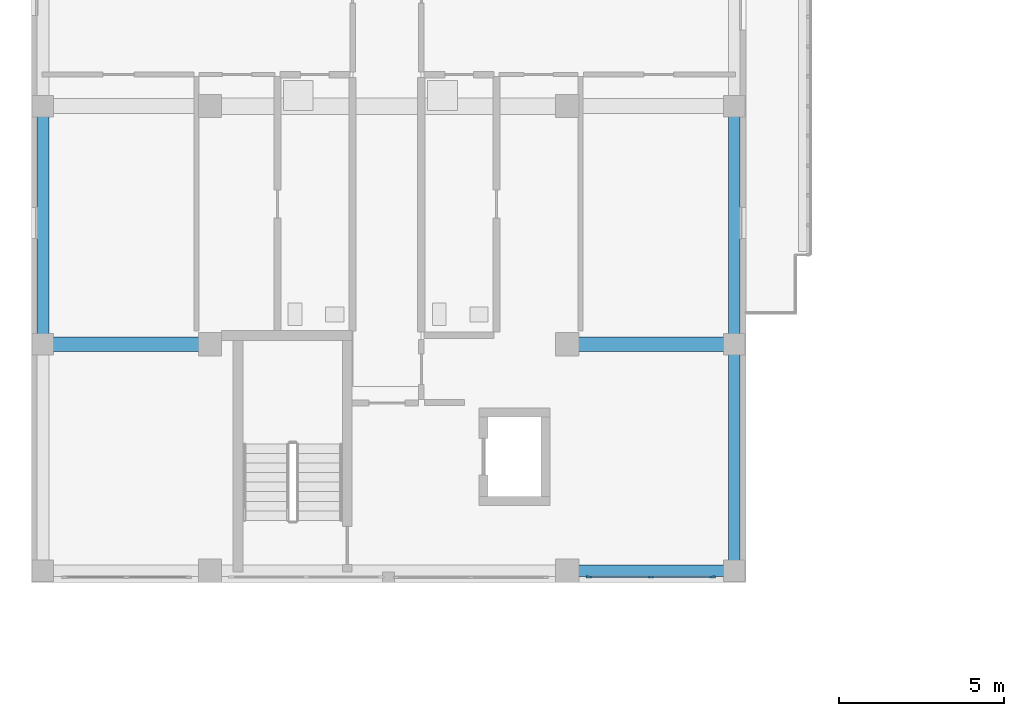
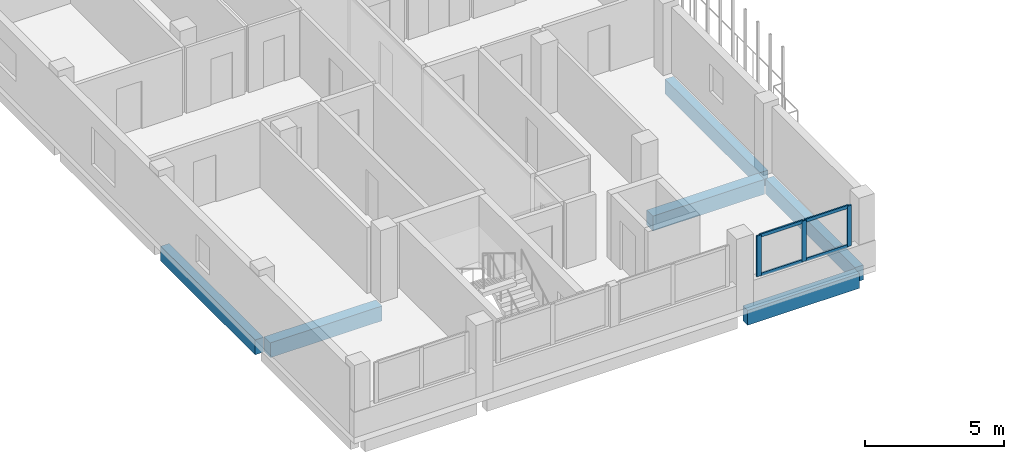
# One storey, part 8 of 51: 7 members, 6 beams, 1 element without a shape of its own.
"""IFC4 building model written with IfcOpenShell, lengths in metres."""

from ifc_helpers import new_model, si_unit, derived_unit, direction, frame, origin, origin_2d, place, context, subcontext, project, spatial, rectangle, extrude, material, layer, layer_set, material_profile, profile_set, type_object, element, aggregate, save


model = new_model("IFC4")

# Units and contexts
model_context = context("Model", 3, precision=1e-05, world=origin(), true_north=direction((0.0, 1.0)))
body_context = subcontext(model_context, "Body", "Model", "MODEL_VIEW")
ifc_project = project(units=[si_unit("LENGTHUNIT", "METRE"), si_unit("AREAUNIT", "SQUARE_METRE"), si_unit("VOLUMEUNIT", "CUBIC_METRE"), si_unit("PLANEANGLEUNIT", "RADIAN"), si_unit("MASSUNIT", "GRAM", prefix="KILO"), derived_unit("THERMALTRANSMITTANCEUNIT", [(si_unit("MASSUNIT", "GRAM", prefix="KILO"), 1), (si_unit("TIMEUNIT", "SECOND"), -3), (si_unit("THERMODYNAMICTEMPERATUREUNIT", "KELVIN"), -1)])], contexts=[model_context])

# Site, building, storey
site_placement = place(None, origin())
site = spatial("IfcSite", under=ifc_project, at=site_placement, CompositionType="ELEMENT")
building_placement = place(site_placement, origin())
building = spatial("IfcBuilding", under=site, at=building_placement, Name="Ochrekiln Boulevard Commons", CompositionType="ELEMENT")
storey_placement = place(building_placement, frame((0.0, 0.0, 15.22509765625)))
storey = spatial("IfcBuildingStorey", under=building, at=storey_placement, Name="L04", CompositionType="ELEMENT", Elevation=15.22509765625)

# Beams
ifc_material_1 = material(Name="Concrete C35/45", Category="concrete")
ifc_material_profile_1 = material_profile(ifc_material_1, rectangle(XDim=0.449951171875, YDim=0.64990234375, at=origin_2d()), Name="RC-BM-450x650")
ifc_profile_set_1 = profile_set([ifc_material_profile_1], Name="Concrete C35/45")
beam_type_1 = type_object("IfcBeamType", Name="BM-RC-450x650", PredefinedType="BEAM", material=ifc_profile_set_1)
beam_1_placement = place(storey_placement, frame((0.56005859375, 75.60009765625, -0.585205078125), z_axis=(1.0, 0.0, 0.0), x_axis=(0.0, 1.0, 0.0)))
element("IfcBeam", 1, at=beam_1_placement, inside=storey, type_object=beam_type_1, Name="Block A L04 Beam B-4565 X4", PredefinedType="BEAM", context=body_context, shape_type="SweptSolid", body=[
    extrude(rectangle(XDim=0.449951171875, YDim=0.64990234375, at=origin_2d()), origin(), (0.0, 0.0, 1.0), 4.6298828125),
])
beam_2_placement = place(storey_placement, frame((16.409912109375, 75.60009765625, -0.585205078125), z_axis=(1.0, 0.0, 0.0), x_axis=(0.0, 1.0, 0.0)))
element("IfcBeam", 2, at=beam_2_placement, inside=storey, type_object=beam_type_1, Name="Block A L04 Beam B-4565 X5", PredefinedType="BEAM", context=body_context, shape_type="SweptSolid", body=[
    extrude(rectangle(XDim=0.449951171875, YDim=0.64990234375, at=origin_2d()), origin(), (0.0, 0.0, 1.0), 4.630126953125),
])

# Curtain wall, members
ifc_material_2 = material(Name="Bronze-anodized extruded aluminium 6063-T6", Category="aluminium")
ifc_layer = layer(ifc_material_2, 0.172119140625)
ifc_layer_set = layer_set([ifc_layer], Name="Bronze-anodized extruded aluminium 6063-T6")
curtain_wall_type = type_object("IfcCurtainWallType", Name="CW-GABLE-A", PredefinedType="USERDEFINED", material=ifc_layer_set)
curtain_wall_placement = place(storey_placement, origin())
curtain_wall = element("IfcCurtainWall", 3, at=curtain_wall_placement, inside=storey, type_object=curtain_wall_type, Name="Block A L04 Courtyard Glazed Gable Curtain Wall 4", ObjectType="GLAZED CURTAIN WALL", PredefinedType="USERDEFINED")
ifc_material_profile_2 = material_profile(ifc_material_2, rectangle(XDim=0.06494140625, YDim=0.179931640625, at=origin_2d()), Name="ALU-MUL-65x180")
ifc_profile_set_2 = profile_set([ifc_material_profile_2], Name="Bronze-anodized extruded aluminium 6063-T6")
member_type_1 = type_object("IfcMemberType", Name="CWM-65x180", PredefinedType="MULLION", material=ifc_profile_set_2)
member_1_placement = place(storey_placement, frame((16.8525390625, 68.56005859375, 1.10986328125), z_axis=(0.0, 0.0, 1.0), x_axis=(0.0, 1.0, 0.0)))
member_1 = element("IfcMember", 4, at=member_1_placement, type_object=member_type_1, Name="CW-01 mullion 1", PredefinedType="MULLION", context=body_context, shape_type="SweptSolid", body=[
    extrude(rectangle(XDim=0.06494140625, YDim=0.179931640625, at=origin_2d()), origin(), (0.0, 0.0, 1.0), 1.780029296875),
])
member_2_placement = place(storey_placement, frame((18.72509765625, 68.56005859375, 1.10986328125), z_axis=(0.0, 0.0, 1.0), x_axis=(0.0, 1.0, 0.0)))
member_2 = element("IfcMember", 5, at=member_2_placement, type_object=member_type_1, Name="CW-01 mullion 2", PredefinedType="MULLION", context=body_context, shape_type="SweptSolid", body=[
    extrude(rectangle(XDim=0.06494140625, YDim=0.179931640625, at=origin_2d()), origin(), (0.0, 0.0, 1.0), 1.780029296875),
])
member_3_placement = place(storey_placement, frame((20.597412109375, 68.56005859375, 1.10986328125), z_axis=(0.0, 0.0, 1.0), x_axis=(0.0, 1.0, 0.0)))
member_3 = element("IfcMember", 6, at=member_3_placement, type_object=member_type_1, Name="CW-01 mullion 3", PredefinedType="MULLION", context=body_context, shape_type="SweptSolid", body=[
    extrude(rectangle(XDim=0.06494140625, YDim=0.179931640625, at=origin_2d()), origin(), (0.0, 0.0, 1.0), 1.780029296875),
])
ifc_material_profile_3 = material_profile(ifc_material_2, rectangle(XDim=0.06494140625, YDim=0.139892578125, at=origin_2d()), Name="ALU-TRN-65x140")
ifc_profile_set_3 = profile_set([ifc_material_profile_3], Name="Bronze-anodized extruded aluminium 6063-T6")
member_type_2 = type_object("IfcMemberType", Name="CWT-65x140", PredefinedType="USERDEFINED", material=ifc_profile_set_3)
member_4_placement = place(storey_placement, frame((16.885009765625, 68.56005859375, 1.142333984375), z_axis=(1.0, 0.0, 0.0), x_axis=(0.0, 1.0, 0.0)))
member_4 = element("IfcMember", 7, at=member_4_placement, type_object=member_type_2, Name="CW-01 transom 1.1", ObjectType="TRANSOM", PredefinedType="USERDEFINED", context=body_context, shape_type="SweptSolid", body=[
    extrude(rectangle(XDim=0.06494140625, YDim=0.139892578125, at=origin_2d()), origin(), (0.0, 0.0, 1.0), 1.807373046875),
])
member_5_placement = place(storey_placement, frame((16.885009765625, 68.56005859375, 2.857421875), z_axis=(1.0, 0.0, 0.0), x_axis=(0.0, 1.0, 0.0)))
member_5 = element("IfcMember", 8, at=member_5_placement, type_object=member_type_2, Name="CW-01 transom 1.2", ObjectType="TRANSOM", PredefinedType="USERDEFINED", context=body_context, shape_type="SweptSolid", body=[
    extrude(rectangle(XDim=0.06494140625, YDim=0.139892578125, at=origin_2d()), origin(), (0.0, 0.0, 1.0), 1.807373046875),
])
member_6_placement = place(storey_placement, frame((18.757568359375, 68.56005859375, 1.142333984375), z_axis=(1.0, 0.0, 0.0), x_axis=(0.0, 1.0, 0.0)))
member_6 = element("IfcMember", 9, at=member_6_placement, type_object=member_type_2, Name="CW-01 transom 2.1", ObjectType="TRANSOM", PredefinedType="USERDEFINED", context=body_context, shape_type="SweptSolid", body=[
    extrude(rectangle(XDim=0.06494140625, YDim=0.139892578125, at=origin_2d()), origin(), (0.0, 0.0, 1.0), 1.807373046875),
])
member_7_placement = place(storey_placement, frame((18.757568359375, 68.56005859375, 2.857421875), z_axis=(1.0, 0.0, 0.0), x_axis=(0.0, 1.0, 0.0)))
member_7 = element("IfcMember", 10, at=member_7_placement, type_object=member_type_2, Name="CW-01 transom 2.2", ObjectType="TRANSOM", PredefinedType="USERDEFINED", context=body_context, shape_type="SweptSolid", body=[
    extrude(rectangle(XDim=0.06494140625, YDim=0.139892578125, at=origin_2d()), origin(), (0.0, 0.0, 1.0), 1.807373046875),
])
aggregate(curtain_wall, [member_1, member_2, member_3, member_4, member_5, member_6, member_7])

# Beams
ifc_material_3 = material(Name="Concrete C40/50", Category="concrete")
ifc_material_profile_4 = material_profile(ifc_material_3, rectangle(XDim=0.35009765625, YDim=0.64990234375, at=origin_2d()), Name="RC-SPN-350x650")
ifc_profile_set_4 = profile_set([ifc_material_profile_4], Name="Concrete C40/50")
beam_type_2 = type_object("IfcBeamType", Name="SPN-RC-350x650", PredefinedType="SPANDREL", material=ifc_profile_set_4)
beam_3_placement = place(storey_placement, frame((16.409912109375, 68.75, -0.585205078125), z_axis=(1.0, 0.0, 0.0), x_axis=(0.0, 1.0, 0.0)))
element("IfcBeam", 11, at=beam_3_placement, inside=storey, type_object=beam_type_2, Name="Block A L04 Beam SP-3565 X3", PredefinedType="SPANDREL", context=body_context, shape_type="SweptSolid", body=[
    extrude(rectangle(XDim=0.35009765625, YDim=0.64990234375, at=origin_2d()), origin(), (0.0, 0.0, 1.0), 4.630126953125),
])
beam_4_placement = place(storey_placement, frame((0.35009765625, 75.81005859375, -0.585205078125), z_axis=(0.0, 1.0, 0.0), x_axis=(-1.0, 0.0, 0.0)))
element("IfcBeam", 12, at=beam_4_placement, inside=storey, type_object=beam_type_2, Name="Block A L04 Beam SP-3565 Y24", PredefinedType="SPANDREL", context=body_context, shape_type="SweptSolid", body=[
    extrude(rectangle(XDim=0.35009765625, YDim=0.64990234375, at=origin_2d()), origin(), (0.0, 0.0, 1.0), 6.780029296875),
])
beam_5_placement = place(storey_placement, frame((21.25, 68.9599609375, -0.585205078125), z_axis=(0.0, 1.0, 0.0), x_axis=(-1.0, 0.0, 0.0)))
element("IfcBeam", 13, at=beam_5_placement, inside=storey, type_object=beam_type_2, Name="Block A L04 Beam SP-3565 Y30", PredefinedType="SPANDREL", context=body_context, shape_type="SweptSolid", body=[
    extrude(rectangle(XDim=0.35009765625, YDim=0.64990234375, at=origin_2d()), origin(), (0.0, 0.0, 1.0), 6.429931640625),
])
beam_6_placement = place(storey_placement, frame((21.25, 75.81005859375, -0.585205078125), z_axis=(0.0, 1.0, 0.0), x_axis=(-1.0, 0.0, 0.0)))
element("IfcBeam", 14, at=beam_6_placement, inside=storey, type_object=beam_type_2, Name="Block A L04 Beam SP-3565 Y31", PredefinedType="SPANDREL", context=body_context, shape_type="SweptSolid", body=[
    extrude(rectangle(XDim=0.35009765625, YDim=0.64990234375, at=origin_2d()), origin(), (0.0, 0.0, 1.0), 6.780029296875),
])

save(model, "model.ifc")
